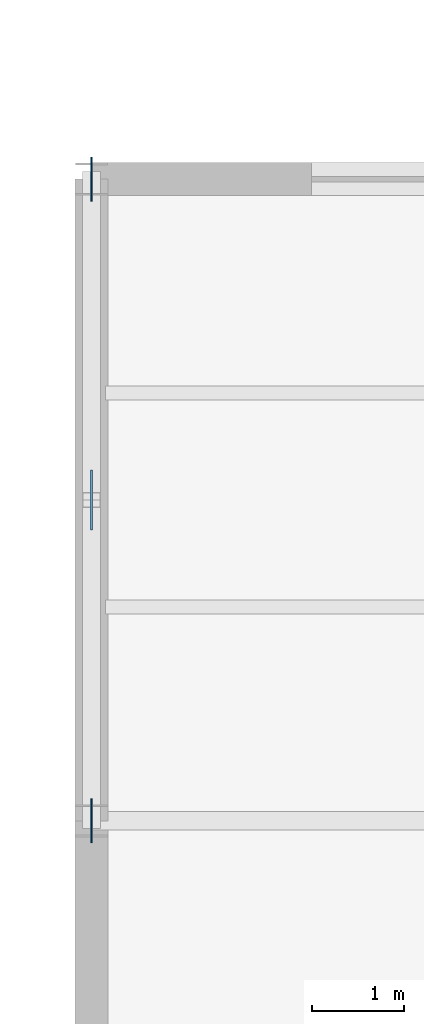
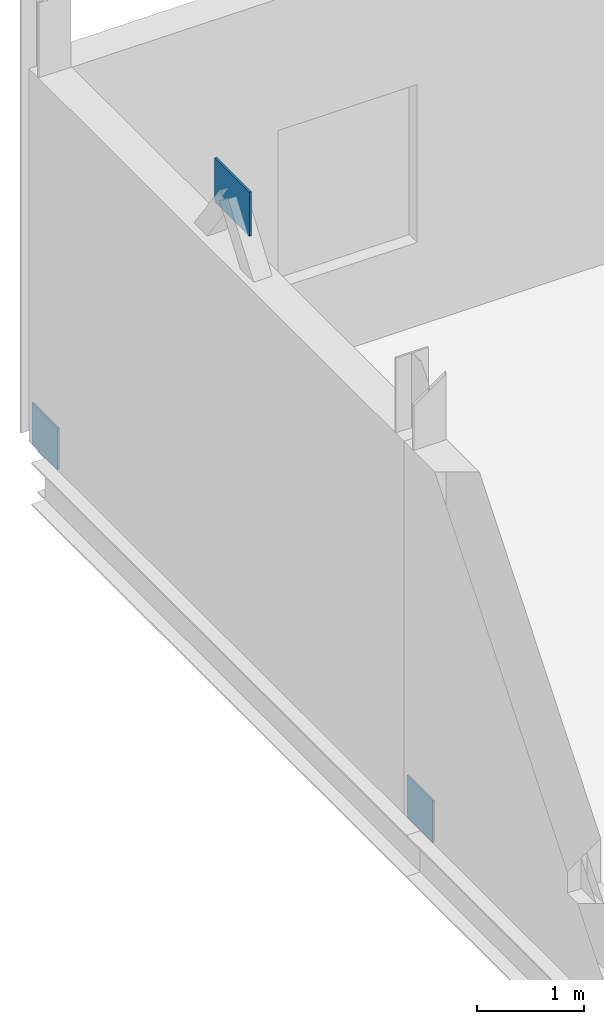
# One storey, part 195 of 218: 3 plates.
"""IFC4 building model written with IfcOpenShell, lengths in metres."""

from ifc_helpers import new_model, si_unit, direction, frame, origin, origin_2d, place, context, subcontext, project, spatial, rectangle, extrude, material, layer, layer_set, type_object, element, save


model = new_model("IFC4")

# Units and contexts
model_context = context("Model", 3, precision=1e-05, world=origin(), true_north=direction((0.0, 1.0)))
body_context = subcontext(model_context, "Body", "Model", "MODEL_VIEW")
ifc_project = project(units=[si_unit("LENGTHUNIT", "METRE"), si_unit("AREAUNIT", "SQUARE_METRE"), si_unit("VOLUMEUNIT", "CUBIC_METRE"), si_unit("PLANEANGLEUNIT", "RADIAN"), si_unit("MASSUNIT", "GRAM", prefix="KILO")], contexts=[model_context])

# Site, building, storey
site_placement = place(None, origin())
site = spatial("IfcSite", under=ifc_project, at=site_placement, CompositionType="ELEMENT")
building_placement = place(site_placement, origin())
building = spatial("IfcBuilding", under=site, at=building_placement, Name="Kazenagashi Tramway Depot", CompositionType="ELEMENT")
storey_placement = place(building_placement, frame((0.0, 0.0, 6.0)))
storey = spatial("IfcBuildingStorey", under=building, at=storey_placement, Name="L02", CompositionType="ELEMENT", Elevation=6.0)

# Plates
ifc_material = material(Name="Steel SN490B", Category="steel")
ifc_layer_1 = layer(ifc_material, 0.019)
ifc_layer_set_1 = layer_set([ifc_layer_1], Name="Steel SN490B")
plate_type_1 = type_object("IfcPlateType", Name="GP-02", PredefinedType="USERDEFINED", material=ifc_layer_set_1)
for number, where, z_axis, x_axis, name in (
    (1, (0.0, 56.0, -0.24), (0.0, 0.0, 1.0), (0.0, 1.0, 0.0), "Structural Node Plate GP-02 PLT-0170"),
    (2, (0.0, 63.0, -0.24), (0.0, 0.0, 1.0), (0.0, 1.0, 0.0), "Structural Node Plate GP-02 PLT-0171"),
):
    element("IfcPlate", number, at=place(storey_placement, frame(where, z_axis=z_axis, x_axis=x_axis)), inside=storey, type_object=plate_type_1, Name=name, ObjectType="GUSSET PLATE", PredefinedType="USERDEFINED", context=body_context, shape_type="SweptSolid", body=[
        extrude(rectangle(XDim=0.48, YDim=0.019, at=origin_2d()), origin(), (0.0, 0.0, 1.0), 0.48),
    ])
ifc_layer_2 = layer(ifc_material, 0.025)
ifc_layer_set_2 = layer_set([ifc_layer_2], Name="Steel SN490B")
plate_type_2 = type_object("IfcPlateType", Name="GP-04", PredefinedType="USERDEFINED", material=ifc_layer_set_2)
plate_placement = place(storey_placement, frame((0.0, 59.5, 4.6), z_axis=(0.0, 0.0, 1.0), x_axis=(0.0, 1.0, 0.0)))
element("IfcPlate", 3, at=plate_placement, inside=storey, type_object=plate_type_2, Name="Structural Node Plate GP-04 PLT-0104", ObjectType="GUSSET PLATE", PredefinedType="USERDEFINED", context=body_context, shape_type="SweptSolid", body=[
    extrude(rectangle(XDim=0.65, YDim=0.025, at=origin_2d()), origin(), (0.0, 0.0, 1.0), 0.5),
])

save(model, "model.ifc")
